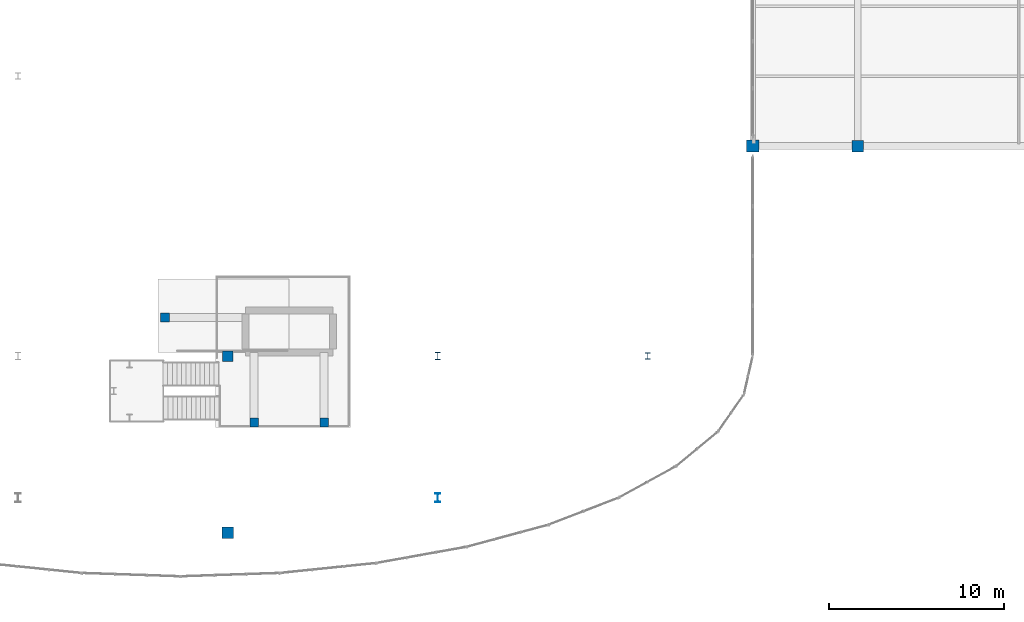
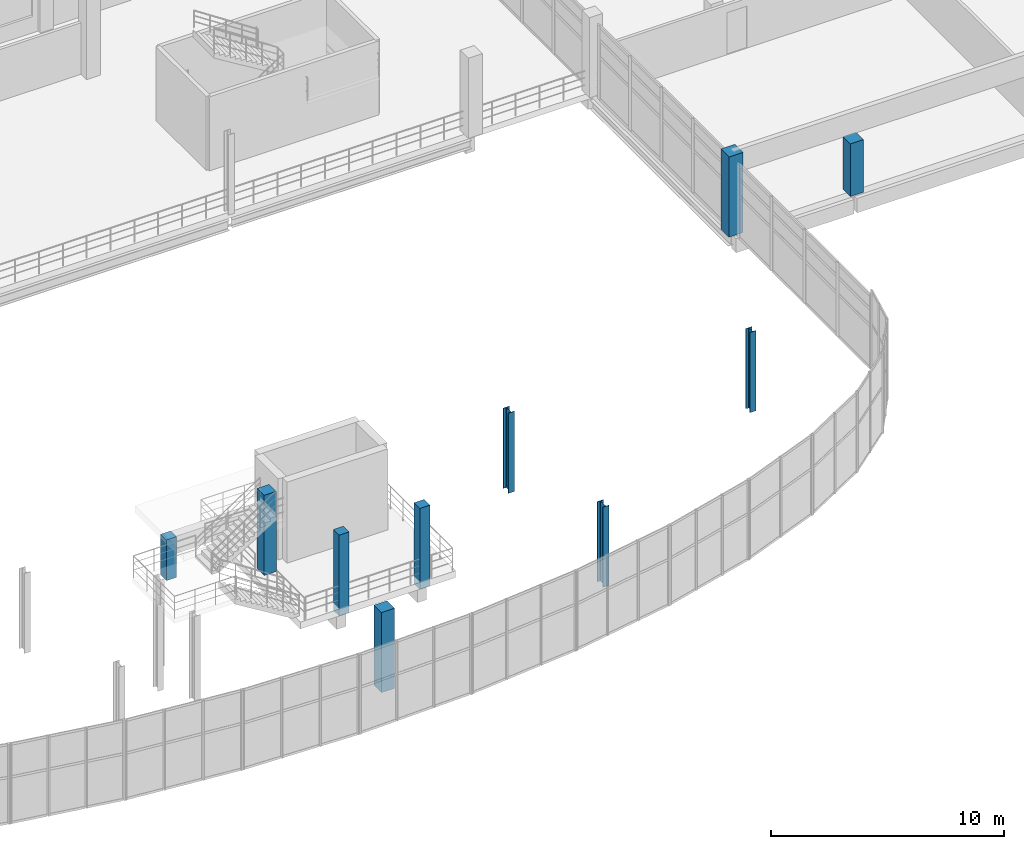
# One storey, part 16 of 89: 10 columns.
"""IFC4 building model written with IfcOpenShell, lengths in metres."""

from ifc_helpers import new_model, si_unit, direction, frame, origin, origin_2d, place, context, subcontext, project, spatial, rectangle, i_section, extrude, material, material_profile, profile_set, type_object, element, save


model = new_model("IFC4")

# Units and contexts
model_context = context("Model", 3, precision=1e-05, world=origin(), true_north=direction((0.0, 1.0)))
body_context = subcontext(model_context, "Body", "Model", "MODEL_VIEW")
ifc_project = project(units=[si_unit("LENGTHUNIT", "METRE"), si_unit("AREAUNIT", "SQUARE_METRE"), si_unit("VOLUMEUNIT", "CUBIC_METRE"), si_unit("PLANEANGLEUNIT", "RADIAN"), si_unit("MASSUNIT", "GRAM", prefix="KILO"), si_unit("THERMODYNAMICTEMPERATUREUNIT", "KELVIN"), si_unit("POWERUNIT", "WATT")], contexts=[model_context])

# Site, building, storey
site_placement = place(None, origin())
site = spatial("IfcSite", under=ifc_project, at=site_placement, CompositionType="ELEMENT")
building_placement = place(site_placement, origin())
building = spatial("IfcBuilding", under=site, at=building_placement, Name="Solmara Park Aquatics Centre", CompositionType="ELEMENT")
storey_placement = place(building_placement, frame((0.0, 0.0, 5.39990234375)))
storey = spatial("IfcBuildingStorey", under=building, at=storey_placement, Name="L01", CompositionType="ELEMENT", Elevation=5.39990234375)

# Columns
ifc_material_1 = material(Name="Structural Steel S355", Category="steel")
ifc_material_profile_1 = material_profile(ifc_material_1, i_section(OverallWidth=0.300048828125, OverallDepth=0.449951171875, WebThickness=0.013916015625, FlangeThickness=0.02587890625, FilletRadius=0.027099609375, at=origin_2d()), Name="HEB 450")
ifc_profile_set_1 = profile_set([ifc_material_profile_1], Name="Structural Steel S355")
column_type_1 = type_object("IfcColumnType", Name="STR-COL-HEB450", PredefinedType="COLUMN", material=ifc_profile_set_1)
column_1_placement = place(storey_placement, frame((144.0, 12.60009765625, 0.0), z_axis=(0.0, 0.0, 1.0), x_axis=(1.0, 0.0, 0.0)))
element("IfcColumn", 1, at=column_1_placement, inside=storey, type_object=column_type_1, Name="Column L01-0425", PredefinedType="COLUMN", context=body_context, shape_type="SweptSolid", body=[
    extrude(i_section(OverallWidth=0.300048828125, OverallDepth=0.449951171875, WebThickness=0.013916015625, FlangeThickness=0.02587890625, FilletRadius=0.027099609375, at=origin_2d()), origin(), (0.0, 0.0, 1.0), 4.2001953125),
])
ifc_material_profile_2 = material_profile(ifc_material_1, i_section(OverallWidth=0.300048828125, OverallDepth=0.5, WebThickness=0.014404296875, FlangeThickness=0.028076171875, FilletRadius=0.027099609375, at=origin_2d()), Name="HEB 500")
ifc_profile_set_2 = profile_set([ifc_material_profile_2], Name="Structural Steel S355")
column_type_2 = type_object("IfcColumnType", Name="STR-COL-HEB500", PredefinedType="COLUMN", material=ifc_profile_set_2)
column_2_placement = place(storey_placement, frame((144.0, 4.5, 0.0), z_axis=(0.0, 0.0, 1.0), x_axis=(1.0, 0.0, 0.0)))
element("IfcColumn", 2, at=column_2_placement, inside=storey, type_object=column_type_2, Name="Column L01-0424", PredefinedType="COLUMN", context=body_context, shape_type="SweptSolid", body=[
    extrude(i_section(OverallWidth=0.300048828125, OverallDepth=0.5, WebThickness=0.014404296875, FlangeThickness=0.028076171875, FilletRadius=0.027099609375, at=origin_2d()), origin(), (0.0, 0.0, 1.0), 4.2001953125),
])
ifc_material_2 = material(Name="Concrete C40/50", Category="concrete")
ifc_material_profile_3 = material_profile(ifc_material_2, rectangle(XDim=0.5, YDim=0.5, at=origin_2d()), Name="RC 500x500")
ifc_profile_set_3 = profile_set([ifc_material_profile_3], Name="Concrete C40/50")
column_type_3 = type_object("IfcColumnType", Name="STR-COL-RC500", PredefinedType="COLUMN", material=ifc_profile_set_3)
column_3_placement = place(storey_placement, frame((128.39990234375, 14.800048828125, -0.39990234375), z_axis=(0.0, 0.0, 1.0), x_axis=(1.0, 0.0, 0.0)))
element("IfcColumn", 3, at=column_3_placement, inside=storey, type_object=column_type_3, Name="Diving Pylon Column L01 128-14", PredefinedType="COLUMN", context=body_context, shape_type="SweptSolid", body=[
    extrude(rectangle(XDim=0.5, YDim=0.5, at=origin_2d()), origin(), (0.0, 0.0, 1.0), 2.139892578125),
])
for number, where, z_axis, x_axis, name in (
    (4, (133.5, 8.800048828125, -0.39990234375), (0.0, 0.0, 1.0), (1.0, 0.0, 0.0), "Diving Pylon Column L01 133-8"),
    (5, (137.5, 8.800048828125, -0.39990234375), (0.0, 0.0, 1.0), (1.0, 0.0, 0.0), "Diving Pylon Column L01 137-8"),
):
    element("IfcColumn", number, at=place(storey_placement, frame(where, z_axis=z_axis, x_axis=x_axis)), inside=storey, type_object=column_type_3, Name=name, PredefinedType="COLUMN", context=body_context, shape_type="SweptSolid", body=[
        extrude(rectangle(XDim=0.5, YDim=0.5, at=origin_2d()), origin(), (0.0, 0.0, 1.0), 4.239990234375),
    ])
ifc_material_profile_4 = material_profile(ifc_material_2, rectangle(XDim=0.60009765625, YDim=0.60009765625, at=origin_2d()), Name="RC 600x600")
ifc_profile_set_4 = profile_set([ifc_material_profile_4], Name="Concrete C40/50")
column_type_4 = type_object("IfcColumnType", Name="STR-COL-RC600", PredefinedType="COLUMN", material=ifc_profile_set_4)
column_4_placement = place(storey_placement, frame((132.0, 12.60009765625, 0.0), z_axis=(0.0, 0.0, 1.0), x_axis=(1.0, 0.0, 0.0)))
element("IfcColumn", 6, at=column_4_placement, inside=storey, type_object=column_type_4, Name="Column L01-0417", PredefinedType="COLUMN", context=body_context, shape_type="SweptSolid", body=[
    extrude(rectangle(XDim=0.60009765625, YDim=0.60009765625, at=origin_2d()), origin(), (0.0, 0.0, 1.0), 4.2001953125),
])
ifc_material_profile_5 = material_profile(ifc_material_2, rectangle(XDim=0.64990234375, YDim=0.64990234375, at=origin_2d()), Name="RC 650x650")
ifc_profile_set_5 = profile_set([ifc_material_profile_5], Name="Concrete C40/50")
column_type_5 = type_object("IfcColumnType", Name="STR-COL-RC650", PredefinedType="COLUMN", material=ifc_profile_set_5)
column_5_placement = place(storey_placement, frame((132.0, 2.5, 0.0), z_axis=(0.0, 0.0, 1.0), x_axis=(1.0, 0.0, 0.0)))
element("IfcColumn", 7, at=column_5_placement, inside=storey, type_object=column_type_5, Name="Column L01-0416", PredefinedType="COLUMN", context=body_context, shape_type="SweptSolid", body=[
    extrude(rectangle(XDim=0.64990234375, YDim=0.64990234375, at=origin_2d()), origin(), (0.0, 0.0, 1.0), 4.2001953125),
])
column_6_placement = place(storey_placement, frame((168.0, 24.60009765625, 0.0), z_axis=(0.0, 0.0, 1.0), x_axis=(1.0, 0.0, 0.0)))
element("IfcColumn", 8, at=column_6_placement, inside=storey, type_object=column_type_5, Name="Column L01-0446", PredefinedType="COLUMN", context=body_context, shape_type="SweptSolid", body=[
    extrude(rectangle(XDim=0.64990234375, YDim=0.64990234375, at=origin_2d()), origin(), (0.0, 0.0, 1.0), 2.760009765625),
])
ifc_material_profile_6 = material_profile(ifc_material_2, rectangle(XDim=0.699951171875, YDim=0.699951171875, at=origin_2d()), Name="RC 700x700")
ifc_profile_set_6 = profile_set([ifc_material_profile_6], Name="Concrete C40/50")
column_type_6 = type_object("IfcColumnType", Name="STR-COL-RC700", PredefinedType="COLUMN", material=ifc_profile_set_6)
column_7_placement = place(storey_placement, frame((162.0, 24.60009765625, 0.0), z_axis=(0.0, 0.0, 1.0), x_axis=(1.0, 0.0, 0.0)))
element("IfcColumn", 9, at=column_7_placement, inside=storey, type_object=column_type_6, Name="Column L01-0439", PredefinedType="COLUMN", context=body_context, shape_type="SweptSolid", body=[
    extrude(rectangle(XDim=0.699951171875, YDim=0.699951171875, at=origin_2d()), origin(), (0.0, 0.0, 1.0), 4.2001953125),
])
ifc_material_profile_7 = material_profile(ifc_material_1, i_section(OverallWidth=0.300048828125, OverallDepth=0.360107421875, WebThickness=0.012451171875, FlangeThickness=0.0224609375, FilletRadius=0.027099609375, at=origin_2d()), Name="HEB 360")
ifc_profile_set_7 = profile_set([ifc_material_profile_7], Name="Structural Steel S355")
column_type_7 = type_object("IfcColumnType", Name="STR-PIL-HEB360", PredefinedType="PILASTER", material=ifc_profile_set_7)
column_8_placement = place(storey_placement, frame((156.0, 12.60009765625, 0.0), z_axis=(0.0, 0.0, 1.0), x_axis=(1.0, 0.0, 0.0)))
element("IfcColumn", 10, at=column_8_placement, inside=storey, type_object=column_type_7, Name="Column L01-0432", PredefinedType="PILASTER", context=body_context, shape_type="SweptSolid", body=[
    extrude(i_section(OverallWidth=0.300048828125, OverallDepth=0.360107421875, WebThickness=0.012451171875, FlangeThickness=0.0224609375, FilletRadius=0.027099609375, at=origin_2d()), origin(), (0.0, 0.0, 1.0), 4.2001953125),
])

save(model, "model.ifc")
